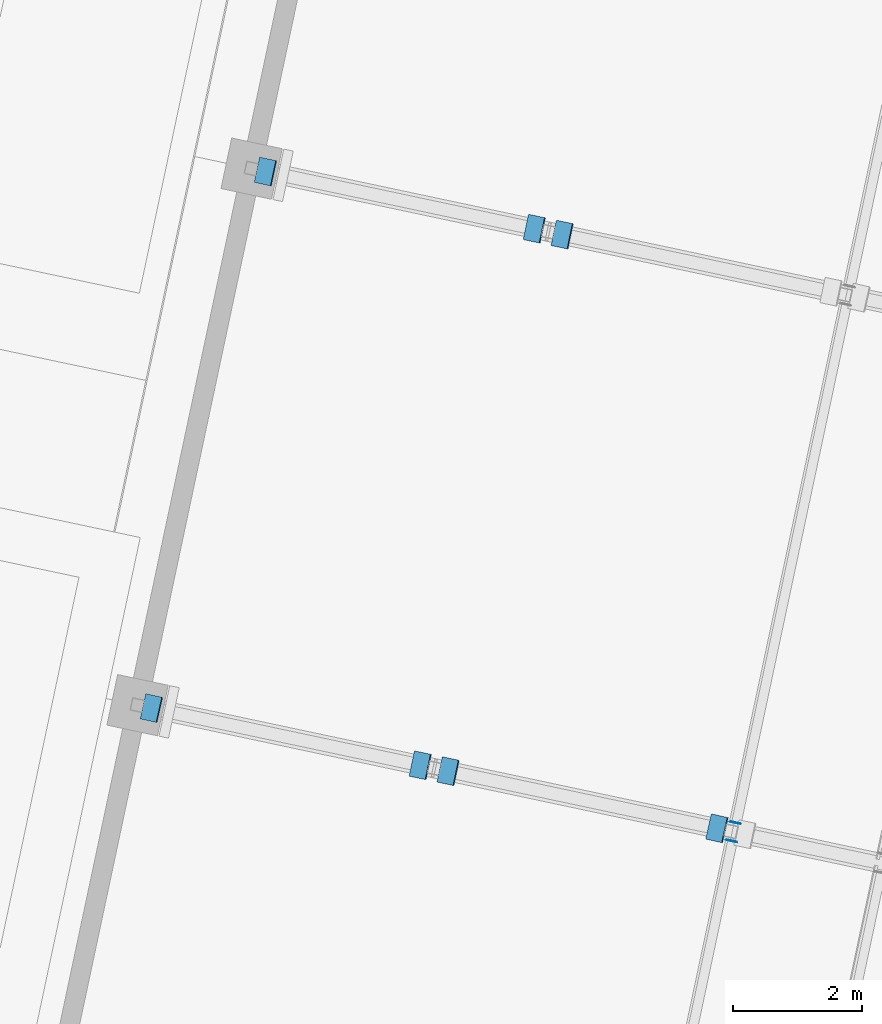
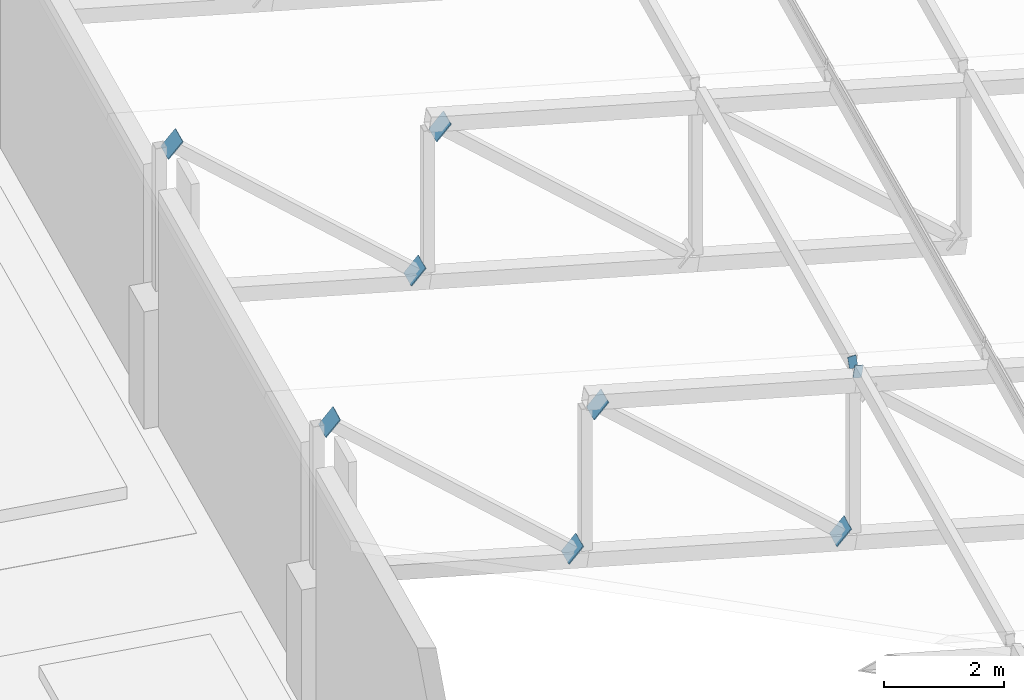
# One storey, part 152 of 196: 9 discrete accessories.
"""IFC4 building model written with IfcOpenShell, lengths in metres."""

from ifc_helpers import new_model, si_unit, direction, frame, origin, origin_2d, place, context, subcontext, project, spatial, rectangle, extrude, material, layer, layer_set, type_object, element, save


model = new_model("IFC4")

# Units and contexts
model_context = context("Model", 3, precision=1e-05, world=origin(), true_north=direction((0.0, 1.0)))
body_context = subcontext(model_context, "Body", "Model", "MODEL_VIEW")
ifc_project = project(units=[si_unit("LENGTHUNIT", "METRE"), si_unit("AREAUNIT", "SQUARE_METRE"), si_unit("VOLUMEUNIT", "CUBIC_METRE"), si_unit("PLANEANGLEUNIT", "RADIAN"), si_unit("MASSUNIT", "GRAM", prefix="KILO")], contexts=[model_context])

# Site, building, storey
site_placement = place(None, origin())
site = spatial("IfcSite", under=ifc_project, at=site_placement, CompositionType="ELEMENT")
building_placement = place(site_placement, origin())
building = spatial("IfcBuilding", under=site, at=building_placement, Name="Okhra Congress Centre", CompositionType="ELEMENT")
storey_placement = place(building_placement, frame((0.0, 0.0, 12.0)))
storey = spatial("IfcBuildingStorey", under=building, at=storey_placement, Name="L02", CompositionType="ELEMENT", Elevation=12.0)

# Discrete accessories
ifc_material = material(Name="Steel S355J2", Category="steel")
ifc_layer_1 = layer(ifc_material, 0.02001953125)
ifc_layer_set_1 = layer_set([ifc_layer_1], Name="Brace end connection plate 20 mm S355")
discrete_accessory_type_1 = type_object("IfcDiscreteAccessoryType", Name="Brace end connection plate 20 mm S355", PredefinedType="BRACKET", material=ifc_layer_set_1)
for number, where, z_axis, x_axis, name in (
    (1, (203.707763671875, 112.255126953125, 5.398193359375), (-0.754975587422, 0.17047835845, 0.633205331387), (-0.220260871435, -0.975441002068, 0.0), "Brace end connection plate"),
    (2, (207.85791015625, 111.373046875, 1.912841796875), (0.756491435081, -0.158619171872, -0.634476687487), (0.205214844297, 0.978716949726, 0.0), "Brace end connection plate"),
    (3, (208.304931640625, 111.278076171875, 4.737548828125), (-0.756491435081, 0.158619171872, 0.634476687487), (-0.205214844297, -0.978716949726, 0.0), "Brace end connection plate"),
    (4, (212.455322265625, 110.39599609375, 1.25244140625), (0.754975587422, -0.17047835845, -0.633205331387), (0.220260871435, 0.975441002068, 0.0), "Brace end connection plate"),
):
    element("IfcDiscreteAccessory", number, at=place(storey_placement, frame(where, z_axis=z_axis, x_axis=x_axis)), inside=storey, type_object=discrete_accessory_type_1, Name=name, PredefinedType="BRACKET", context=body_context, shape_type="SweptSolid", body=[
        extrude(rectangle(XDim=0.39990234375, YDim=0.39990234375, at=origin_2d()), origin(), (0.0, 0.0, 1.0), 0.02001953125),
    ])
discrete_accessory_placement = place(storey_placement, frame((205.474853515625, 120.569580078125, 5.398193359375), z_axis=(-0.751199626988, 0.160091723784, 0.640366895138), x_axis=(-0.208433994533, -0.978036435887, 0.0)))
element("IfcDiscreteAccessory", 5, at=discrete_accessory_placement, inside=storey, type_object=discrete_accessory_type_1, Name="Brace end connection plate", PredefinedType="BRACKET", context=body_context, shape_type="SweptSolid", body=[
    extrude(rectangle(XDim=0.39990234375, YDim=0.39990234375, at=origin_2d()), origin(), (0.0, 0.0, 1.0), 0.019775390625),
])
for number, where, z_axis, x_axis, name in (
    (6, (209.625244140625, 119.687255859375, 1.912841796875), (0.756491435081, -0.158619171872, -0.634476687487), (0.205214844297, 0.978716949726, 0.0), "Brace end connection plate"),
    (7, (210.072265625, 119.59228515625, 4.737548828125), (-0.756491435081, 0.158619171872, 0.634476687487), (-0.205214844297, -0.978716949726, 0.0), "Brace end connection plate"),
):
    element("IfcDiscreteAccessory", number, at=place(storey_placement, frame(where, z_axis=z_axis, x_axis=x_axis)), inside=storey, type_object=discrete_accessory_type_1, Name=name, PredefinedType="BRACKET", context=body_context, shape_type="SweptSolid", body=[
        extrude(rectangle(XDim=0.39990234375, YDim=0.39990234375, at=origin_2d()), origin(), (0.0, 0.0, 1.0), 0.02001953125),
    ])
ifc_layer_2 = layer(ifc_material, 0.011962890625)
ifc_layer_set_2 = layer_set([ifc_layer_2], Name="Hollow section end cap 12 mm S355")
discrete_accessory_type_2 = type_object("IfcDiscreteAccessoryType", Name="Hollow section end cap 12 mm S355", PredefinedType="BRACKET", material=ifc_layer_set_2)
for number, where, z_axis, x_axis, name in (
    (8, (212.68505859375, 110.193603515625, 4.537109375), (0.203954254112, 0.978980419738, 0.0), (-0.969453049589, 0.201969385331, 0.13917310096), "Hollow section end cap"),
    (9, (212.747314453125, 110.487060546875, 4.537109375), (-0.203954254112, -0.978980419738, 0.0), (0.969453049589, -0.201969385331, 0.13917310096), "Hollow section end cap"),
):
    element("IfcDiscreteAccessory", number, at=place(storey_placement, frame(where, z_axis=z_axis, x_axis=x_axis)), inside=storey, type_object=discrete_accessory_type_2, Name=name, PredefinedType="BRACKET", context=body_context, shape_type="SweptSolid", body=[
        extrude(rectangle(XDim=0.14990234375, YDim=0.25, at=origin_2d()), origin(), (0.0, 0.0, 1.0), 0.011962890625),
    ])

save(model, "model.ifc")
